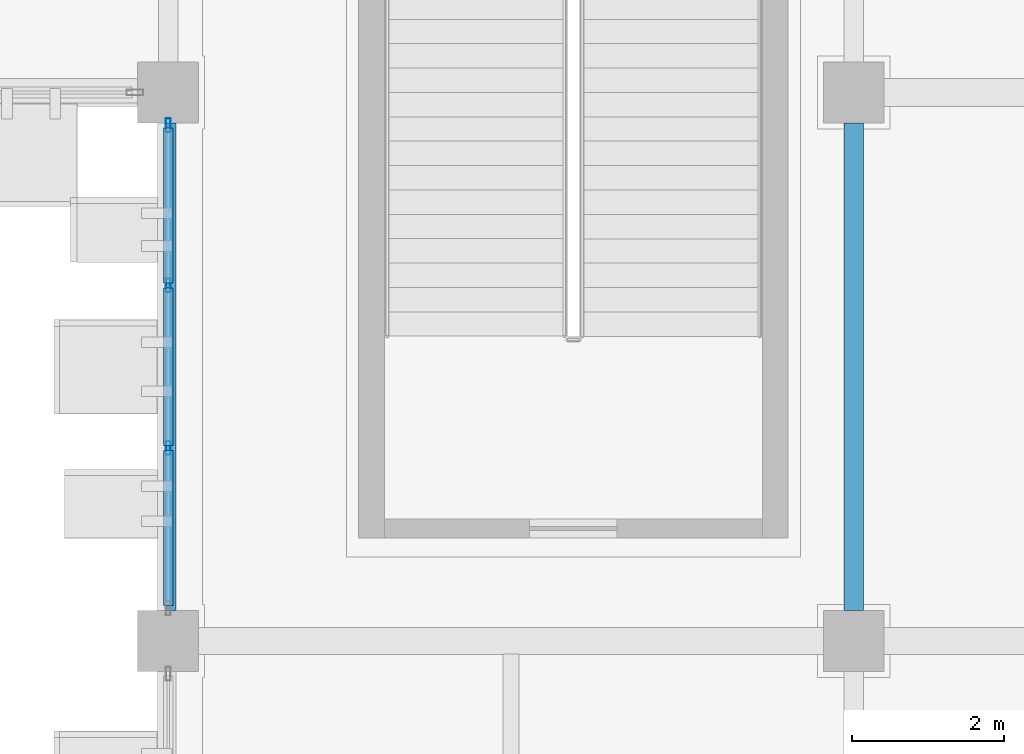
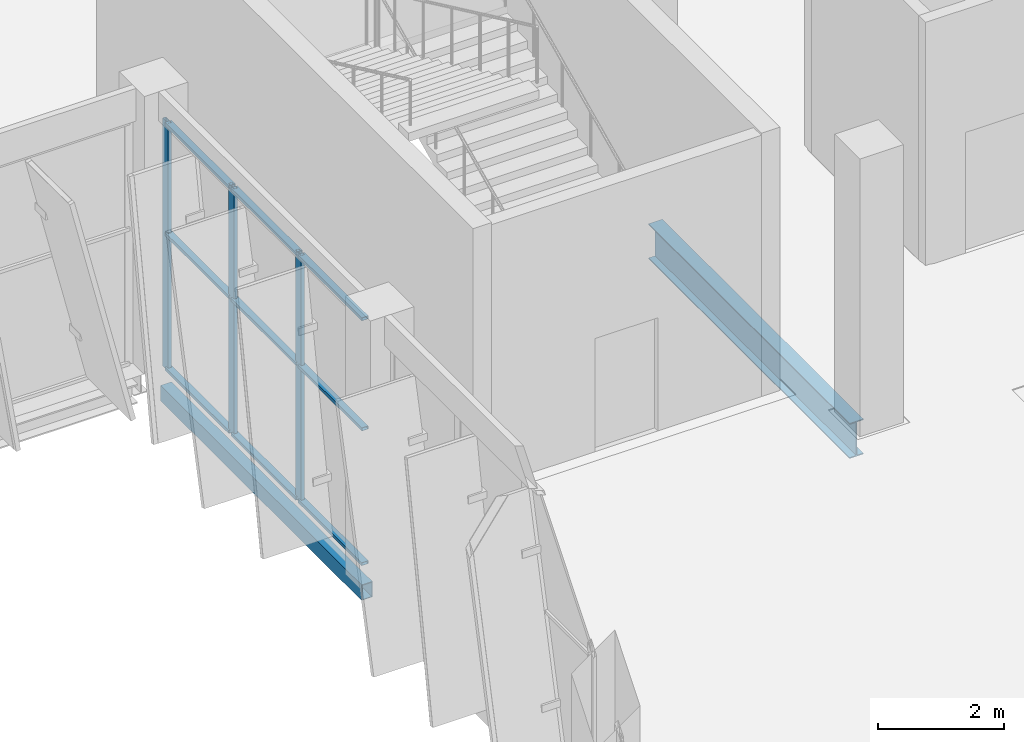
# One storey, part 31 of 137: 12 members, 2 beams, 1 element without a shape of its own.
"""IFC4 building model written with IfcOpenShell, lengths in metres."""

from ifc_helpers import new_model, si_unit, direction, frame, origin, origin_2d, place, context, subcontext, project, spatial, hollow_rectangle, i_section, extrude, material, layer, layer_set, material_profile, profile_set, type_object, element, aggregate, save


model = new_model("IFC4")

# Units and contexts
model_context = context("Model", 3, precision=1e-05, world=origin(), true_north=direction((0.0, 1.0)))
body_context = subcontext(model_context, "Body", "Model", "MODEL_VIEW")
ifc_project = project(units=[si_unit("LENGTHUNIT", "METRE"), si_unit("AREAUNIT", "SQUARE_METRE"), si_unit("VOLUMEUNIT", "CUBIC_METRE"), si_unit("PLANEANGLEUNIT", "RADIAN"), si_unit("MASSUNIT", "GRAM", prefix="KILO")], contexts=[model_context])

# Site, building, storey
site_placement = place(None, origin())
site = spatial("IfcSite", under=ifc_project, at=site_placement, CompositionType="ELEMENT")
building_placement = place(site_placement, origin())
building = spatial("IfcBuilding", under=site, at=building_placement, Name="Celestram Park Convention Centre", CompositionType="ELEMENT")
storey_placement = place(building_placement, origin())
storey = spatial("IfcBuildingStorey", under=building, at=storey_placement, Name="L00", CompositionType="ELEMENT", Elevation=0.0)

# Curtain wall, members
ifc_material_1 = material(Name="Anodised Aluminium Alloy 6063-T6", Category="aluminium")
ifc_layer = layer(ifc_material_1, 0.179931640625)
ifc_layer_set = layer_set([ifc_layer], Name="Anodised Aluminium Alloy 6063-T6")
curtain_wall_type = type_object("IfcCurtainWallType", Name="ARC-CW-640X482", PredefinedType="NOTDEFINED", material=ifc_layer_set)
curtain_wall_placement = place(storey_placement, origin())
curtain_wall = element("IfcCurtainWall", 1, at=curtain_wall_placement, inside=storey, type_object=curtain_wall_type, Name="Unitised curtain wall CU-L00-035", PredefinedType="NOTDEFINED")
ifc_material_profile_1 = material_profile(ifc_material_1, hollow_rectangle(XDim=0.06494140625, YDim=0.179931640625, WallThickness=0.00390625, at=origin_2d()), Name="ALU65X180X4")
ifc_profile_set_1 = profile_set([ifc_material_profile_1], Name="Anodised Aluminium Alloy 6063-T6")
member_type_1 = type_object("IfcMemberType", Name="ARC-CWM-150", PredefinedType="MULLION", material=ifc_profile_set_1)
member_1_placement = place(storey_placement, frame((144.0, 16.9326171875, 0.0), z_axis=(0.0, 0.0, 1.0), x_axis=(-1.0, 0.0, 0.0)))
member_1 = element("IfcMember", 2, at=member_1_placement, type_object=member_type_1, Name="CW-64X48 mullion 2", PredefinedType="MULLION", context=body_context, shape_type="SweptSolid", body=[
    extrude(hollow_rectangle(XDim=0.06494140625, YDim=0.179931640625, WallThickness=0.00390625, at=origin_2d()), origin(), (0.0, 0.0, 1.0), 4.820068359375),
])
member_2_placement = place(storey_placement, frame((144.0, 19.0673828125, 0.0), z_axis=(0.0, 0.0, 1.0), x_axis=(-1.0, 0.0, 0.0)))
member_2 = element("IfcMember", 3, at=member_2_placement, type_object=member_type_1, Name="CW-64X48 mullion 3", PredefinedType="MULLION", context=body_context, shape_type="SweptSolid", body=[
    extrude(hollow_rectangle(XDim=0.06494140625, YDim=0.179931640625, WallThickness=0.00390625, at=origin_2d()), origin(), (0.0, 0.0, 1.0), 4.820068359375),
])
member_3_placement = place(storey_placement, frame((144.0, 21.16943359375, 0.0), z_axis=(0.0, 0.0, 1.0), x_axis=(-1.0, 0.0, 0.0)))
member_3 = element("IfcMember", 4, at=member_3_placement, type_object=member_type_1, Name="CW-64X48 mullion 4", PredefinedType="MULLION", context=body_context, shape_type="SweptSolid", body=[
    extrude(hollow_rectangle(XDim=0.06494140625, YDim=0.179931640625, WallThickness=0.00390625, at=origin_2d()), origin(), (0.0, 0.0, 1.0), 4.820068359375),
])
ifc_material_profile_2 = material_profile(ifc_material_1, hollow_rectangle(XDim=0.1201171875, YDim=0.06005859375, WallThickness=0.0029296875, at=origin_2d()), Name="ALU120X60X3")
ifc_profile_set_2 = profile_set([ifc_material_profile_2], Name="Anodised Aluminium Alloy 6063-T6")
member_type_2 = type_object("IfcMemberType", Name="ARC-CWT-120", PredefinedType="USERDEFINED", material=ifc_profile_set_2)
member_4_placement = place(storey_placement, frame((144.0, 14.863037109375, 0.030029296875), z_axis=(0.0, 1.0, 0.0), x_axis=(-1.0, 0.0, 0.0)))
member_4 = element("IfcMember", 5, at=member_4_placement, type_object=member_type_2, Name="CW-64X48 transom 1.1", ObjectType="TRANSOM", PredefinedType="USERDEFINED", context=body_context, shape_type="SweptSolid", body=[
    extrude(hollow_rectangle(XDim=0.1201171875, YDim=0.06005859375, WallThickness=0.0029296875, at=origin_2d()), origin(), (0.0, 0.0, 1.0), 2.037109375),
])
member_5_placement = place(storey_placement, frame((144.0, 14.863037109375, 2.64990234375), z_axis=(0.0, 1.0, 0.0), x_axis=(-1.0, 0.0, 0.0)))
member_5 = element("IfcMember", 6, at=member_5_placement, type_object=member_type_2, Name="CW-64X48 transom 1.2", ObjectType="TRANSOM", PredefinedType="USERDEFINED", context=body_context, shape_type="SweptSolid", body=[
    extrude(hollow_rectangle(XDim=0.1201171875, YDim=0.06005859375, WallThickness=0.0029296875, at=origin_2d()), origin(), (0.0, 0.0, 1.0), 2.037109375),
])
member_6_placement = place(storey_placement, frame((144.0, 14.863037109375, 4.7900390625), z_axis=(0.0, 1.0, 0.0), x_axis=(-1.0, 0.0, 0.0)))
member_6 = element("IfcMember", 7, at=member_6_placement, type_object=member_type_2, Name="CW-64X48 transom 1.3", ObjectType="TRANSOM", PredefinedType="USERDEFINED", context=body_context, shape_type="SweptSolid", body=[
    extrude(hollow_rectangle(XDim=0.1201171875, YDim=0.06005859375, WallThickness=0.0029296875, at=origin_2d()), origin(), (0.0, 0.0, 1.0), 2.037109375),
])
member_7_placement = place(storey_placement, frame((144.0, 16.965087890625, 0.030029296875), z_axis=(0.0, 1.0, 0.0), x_axis=(-1.0, 0.0, 0.0)))
member_7 = element("IfcMember", 8, at=member_7_placement, type_object=member_type_2, Name="CW-64X48 transom 2.1", ObjectType="TRANSOM", PredefinedType="USERDEFINED", context=body_context, shape_type="SweptSolid", body=[
    extrude(hollow_rectangle(XDim=0.1201171875, YDim=0.06005859375, WallThickness=0.0029296875, at=origin_2d()), origin(), (0.0, 0.0, 1.0), 2.06982421875),
])
member_8_placement = place(storey_placement, frame((144.0, 16.965087890625, 2.64990234375), z_axis=(0.0, 1.0, 0.0), x_axis=(-1.0, 0.0, 0.0)))
member_8 = element("IfcMember", 9, at=member_8_placement, type_object=member_type_2, Name="CW-64X48 transom 2.2", ObjectType="TRANSOM", PredefinedType="USERDEFINED", context=body_context, shape_type="SweptSolid", body=[
    extrude(hollow_rectangle(XDim=0.1201171875, YDim=0.06005859375, WallThickness=0.0029296875, at=origin_2d()), origin(), (0.0, 0.0, 1.0), 2.06982421875),
])
member_9_placement = place(storey_placement, frame((144.0, 16.965087890625, 4.7900390625), z_axis=(0.0, 1.0, 0.0), x_axis=(-1.0, 0.0, 0.0)))
member_9 = element("IfcMember", 10, at=member_9_placement, type_object=member_type_2, Name="CW-64X48 transom 2.3", ObjectType="TRANSOM", PredefinedType="USERDEFINED", context=body_context, shape_type="SweptSolid", body=[
    extrude(hollow_rectangle(XDim=0.1201171875, YDim=0.06005859375, WallThickness=0.0029296875, at=origin_2d()), origin(), (0.0, 0.0, 1.0), 2.06982421875),
])
member_10_placement = place(storey_placement, frame((144.0, 19.099853515625, 0.030029296875), z_axis=(0.0, 1.0, 0.0), x_axis=(-1.0, 0.0, 0.0)))
member_10 = element("IfcMember", 11, at=member_10_placement, type_object=member_type_2, Name="CW-64X48 transom 3.1", ObjectType="TRANSOM", PredefinedType="USERDEFINED", context=body_context, shape_type="SweptSolid", body=[
    extrude(hollow_rectangle(XDim=0.1201171875, YDim=0.06005859375, WallThickness=0.0029296875, at=origin_2d()), origin(), (0.0, 0.0, 1.0), 2.037109375),
])
member_11_placement = place(storey_placement, frame((144.0, 19.099853515625, 2.64990234375), z_axis=(0.0, 1.0, 0.0), x_axis=(-1.0, 0.0, 0.0)))
member_11 = element("IfcMember", 12, at=member_11_placement, type_object=member_type_2, Name="CW-64X48 transom 3.2", ObjectType="TRANSOM", PredefinedType="USERDEFINED", context=body_context, shape_type="SweptSolid", body=[
    extrude(hollow_rectangle(XDim=0.1201171875, YDim=0.06005859375, WallThickness=0.0029296875, at=origin_2d()), origin(), (0.0, 0.0, 1.0), 2.037109375),
])
member_12_placement = place(storey_placement, frame((144.0, 19.099853515625, 4.7900390625), z_axis=(0.0, 1.0, 0.0), x_axis=(-1.0, 0.0, 0.0)))
member_12 = element("IfcMember", 13, at=member_12_placement, type_object=member_type_2, Name="CW-64X48 transom 3.3", ObjectType="TRANSOM", PredefinedType="USERDEFINED", context=body_context, shape_type="SweptSolid", body=[
    extrude(hollow_rectangle(XDim=0.1201171875, YDim=0.06005859375, WallThickness=0.0029296875, at=origin_2d()), origin(), (0.0, 0.0, 1.0), 2.037109375),
])
aggregate(curtain_wall, [member_1, member_2, member_3, member_4, member_5, member_6, member_7, member_8, member_9, member_10, member_11, member_12])

# Beams
ifc_material_2 = material(Name="Steel ASTM A992 Grade 50", Category="steel")
ifc_material_profile_3 = material_profile(ifc_material_2, i_section(OverallWidth=0.25390625, OverallDepth=0.68310546875, WebThickness=0.012451171875, FlangeThickness=0.01904296875, at=origin_2d()), Name="W27X94")
ifc_profile_set_3 = profile_set([ifc_material_profile_3], Name="Steel ASTM A992 Grade 50")
beam_type_1 = type_object("IfcBeamType", Name="STR-BM-W27X94", PredefinedType="BEAM", material=ifc_profile_set_3)
beam_1_placement = place(storey_placement, frame((153.0, 14.798095703125, -0.66162109375), z_axis=(0.0, 1.0, 0.0), x_axis=(-1.0, 0.0, 0.0)))
element("IfcBeam", 14, at=beam_1_placement, inside=storey, type_object=beam_type_1, Name="Primary Y-girder BG-L00-0696", PredefinedType="BEAM", context=body_context, shape_type="SweptSolid", body=[
    extrude(i_section(OverallWidth=0.25390625, OverallDepth=0.68310546875, WebThickness=0.012451171875, FlangeThickness=0.01904296875, at=origin_2d()), origin(), (0.0, 0.0, 1.0), 6.40380859375),
])
ifc_material_3 = material(Name="Steel ASTM A500 Grade C", Category="steel")
ifc_material_profile_4 = material_profile(ifc_material_3, hollow_rectangle(XDim=0.199951171875, YDim=0.300048828125, WallThickness=0.011962890625, at=origin_2d()), Name="HSS300X200X12")
ifc_profile_set_4 = profile_set([ifc_material_profile_4], Name="Steel ASTM A500 Grade C")
beam_type_2 = type_object("IfcBeamType", Name="STR-SPN-HSS300X200", PredefinedType="SPANDREL", material=ifc_profile_set_4)
beam_2_placement = place(storey_placement, frame((144.0, 14.798095703125, -0.469970703125), z_axis=(0.0, 1.0, 0.0), x_axis=(-1.0, 0.0, 0.0)))
element("IfcBeam", 15, at=beam_2_placement, inside=storey, type_object=beam_type_2, Name="Primary Y-girder BG-L00-0665", PredefinedType="SPANDREL", context=body_context, shape_type="SweptSolid", body=[
    extrude(hollow_rectangle(XDim=0.199951171875, YDim=0.300048828125, WallThickness=0.011962890625, at=origin_2d()), origin(), (0.0, 0.0, 1.0), 6.40380859375),
])

save(model, "model.ifc")
